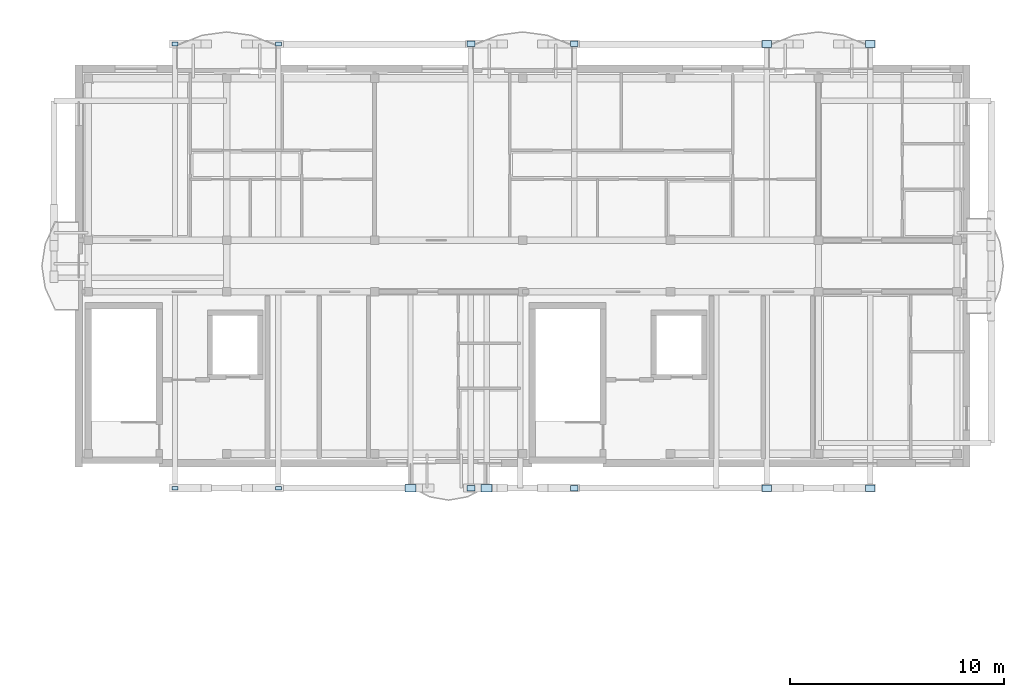
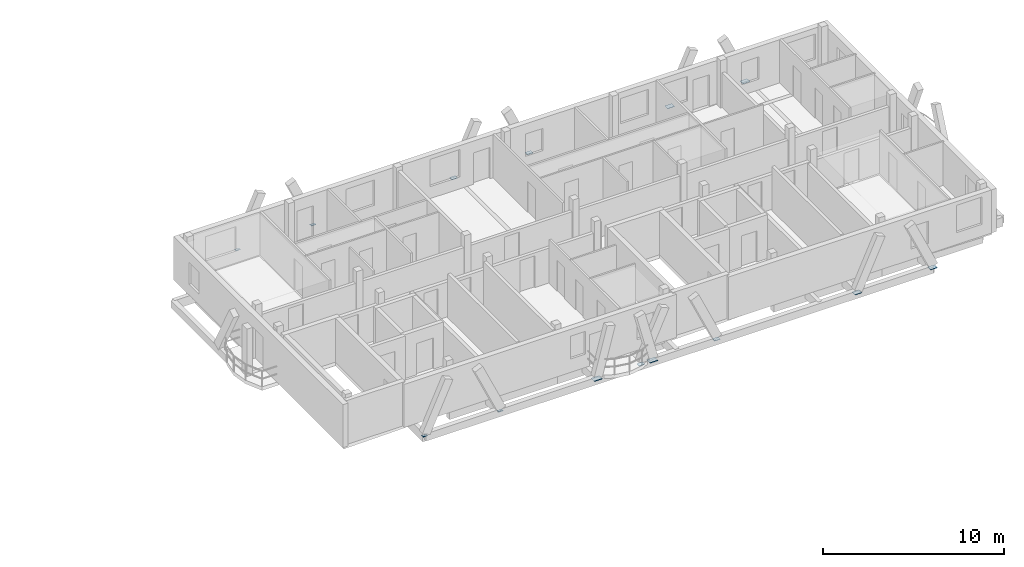
# One storey, part 9 of 29: 14 plates.
"""IFC4 building model written with IfcOpenShell, lengths in metres."""

from ifc_helpers import new_model, si_unit, direction, frame, origin, origin_2d, place, context, subcontext, project, spatial, rectangle, extrude, material, layer, layer_set, type_object, element, save


model = new_model("IFC4")

# Units and contexts
model_context = context("Model", 3, precision=1e-05, world=origin(), true_north=direction((0.0, 1.0)))
body_context = subcontext(model_context, "Body", "Model", "MODEL_VIEW")
ifc_project = project(units=[si_unit("LENGTHUNIT", "METRE"), si_unit("AREAUNIT", "SQUARE_METRE"), si_unit("VOLUMEUNIT", "CUBIC_METRE"), si_unit("PLANEANGLEUNIT", "RADIAN"), si_unit("MASSUNIT", "GRAM", prefix="KILO")], contexts=[model_context])

# Site, building, storey
site_placement = place(None, origin())
site = spatial("IfcSite", under=ifc_project, at=site_placement, CompositionType="ELEMENT")
building_placement = place(site_placement, origin())
building = spatial("IfcBuilding", under=site, at=building_placement, Name="Zavelmont Quarter", CompositionType="ELEMENT")
storey_placement = place(building_placement, frame((0.0, 0.0, 33.60009765625)))
storey = spatial("IfcBuildingStorey", under=building, at=storey_placement, Name="L10", CompositionType="ELEMENT", Elevation=33.60009765625)

# Plates
ifc_material = material(Name="Steel S355", Category="steel")
ifc_layer_1 = layer(ifc_material, 0.02001953125)
ifc_layer_set_1 = layer_set([ifc_layer_1], Name="Steel S355")
plate_type_1 = type_object("IfcPlateType", Name="NP01", PredefinedType="SHEET", material=ifc_layer_set_1)
for number, where, z_axis, x_axis, name in (
    (1, (131.09130859375, 117.162109375, -0.210205078125), (0.0, 0.0, 1.0), (1.0, 0.0, 0.0), "L10 steel connection plate NP01 at 20/S"),
    (2, (135.90869140625, 117.162109375, -0.210205078125), (0.0, 0.0, 1.0), (1.0, 0.0, 0.0), "L10 steel connection plate NP01 at 20/S"),
    (3, (131.09130859375, 96.43798828125, -0.210205078125), (0.0, 0.0, 1.0), (1.0, 0.0, 0.0), "L10 steel connection plate NP01 at 20/P"),
    (4, (135.90869140625, 96.43798828125, -0.210205078125), (0.0, 0.0, 1.0), (1.0, 0.0, 0.0), "L10 steel connection plate NP01 at 20/P"),
):
    element("IfcPlate", number, at=place(storey_placement, frame(where, z_axis=z_axis, x_axis=x_axis)), inside=storey, type_object=plate_type_1, Name=name, PredefinedType="SHEET", context=body_context, shape_type="SweptSolid", body=[
        extrude(rectangle(XDim=0.280029296875, YDim=0.179931640625, at=origin_2d()), origin(), (0.0, 0.0, 1.0), 0.02001953125),
    ])
ifc_layer_2 = layer(ifc_material, 0.02392578125)
ifc_layer_set_2 = layer_set([ifc_layer_2], Name="Steel S355")
plate_type_2 = type_object("IfcPlateType", Name="NP02", PredefinedType="SHEET", material=ifc_layer_set_2)
for number, where, z_axis, x_axis, name in (
    (5, (144.89111328125, 117.162109375, -0.212158203125), (0.0, 0.0, 1.0), (1.0, 0.0, 0.0), "L10 steel connection plate NP02 at 22/S"),
    (6, (149.708740234375, 117.162109375, -0.212158203125), (0.0, 0.0, 1.0), (1.0, 0.0, 0.0), "L10 steel connection plate NP02 at 22/S"),
    (7, (144.89111328125, 96.43798828125, -0.212158203125), (0.0, 0.0, 1.0), (1.0, 0.0, 0.0), "L10 steel connection plate NP02 at 22/P"),
    (8, (149.708740234375, 96.43798828125, -0.212158203125), (0.0, 0.0, 1.0), (1.0, 0.0, 0.0), "L10 steel connection plate NP02 at 22/P"),
):
    element("IfcPlate", number, at=place(storey_placement, frame(where, z_axis=z_axis, x_axis=x_axis)), inside=storey, type_object=plate_type_2, Name=name, PredefinedType="SHEET", context=body_context, shape_type="SweptSolid", body=[
        extrude(rectangle(XDim=0.360107421875, YDim=0.260009765625, at=origin_2d()), origin(), (0.0, 0.0, 1.0), 0.02392578125),
    ])
ifc_layer_3 = layer(ifc_material, 0.02490234375)
ifc_layer_set_3 = layer_set([ifc_layer_3], Name="Steel S355")
plate_type_3 = type_object("IfcPlateType", Name="NP03", PredefinedType="SHEET", material=ifc_layer_set_3)
for number, where, z_axis, x_axis, name in (
    (9, (158.691162109375, 117.162109375, -0.212646484375), (0.0, 0.0, 1.0), (1.0, 0.0, 0.0), "L10 steel connection plate NP03 at 24/S"),
    (10, (163.5087890625, 117.162109375, -0.212646484375), (0.0, 0.0, 1.0), (1.0, 0.0, 0.0), "L10 steel connection plate NP03 at 24/S"),
    (11, (158.691162109375, 96.43798828125, -0.212646484375), (0.0, 0.0, 1.0), (1.0, 0.0, 0.0), "L10 steel connection plate NP03 at 24/P"),
    (12, (163.5087890625, 96.43798828125, -0.212646484375), (0.0, 0.0, 1.0), (1.0, 0.0, 0.0), "L10 steel connection plate NP03 at 24/P"),
):
    element("IfcPlate", number, at=place(storey_placement, frame(where, z_axis=z_axis, x_axis=x_axis)), inside=storey, type_object=plate_type_3, Name=name, PredefinedType="SHEET", context=body_context, shape_type="SweptSolid", body=[
        extrude(rectangle(XDim=0.43994140625, YDim=0.320068359375, at=origin_2d()), origin(), (0.0, 0.0, 1.0), 0.02490234375),
    ])
ifc_layer_4 = layer(ifc_material, 0.028076171875)
ifc_layer_set_4 = layer_set([ifc_layer_4], Name="Steel S355")
plate_type_4 = type_object("IfcPlateType", Name="NP04", PredefinedType="SHEET", material=ifc_layer_set_4)
for number, where, z_axis, x_axis, name in (
    (13, (142.073486328125, 96.43798828125, -0.21435546875), (0.0, 0.0, 1.0), (1.0, 0.0, 0.0), "L10 steel connection plate NP04 at 21/P"),
    (14, (145.62646484375, 96.43798828125, -0.21435546875), (0.0, 0.0, 1.0), (1.0, 0.0, 0.0), "L10 steel connection plate NP04 at 22/P"),
):
    element("IfcPlate", number, at=place(storey_placement, frame(where, z_axis=z_axis, x_axis=x_axis)), inside=storey, type_object=plate_type_4, Name=name, PredefinedType="SHEET", context=body_context, shape_type="SweptSolid", body=[
        extrude(rectangle(XDim=0.52001953125, YDim=0.360107421875, at=origin_2d()), origin(), (0.0, 0.0, 1.0), 0.028076171875),
    ])

save(model, "model.ifc")
